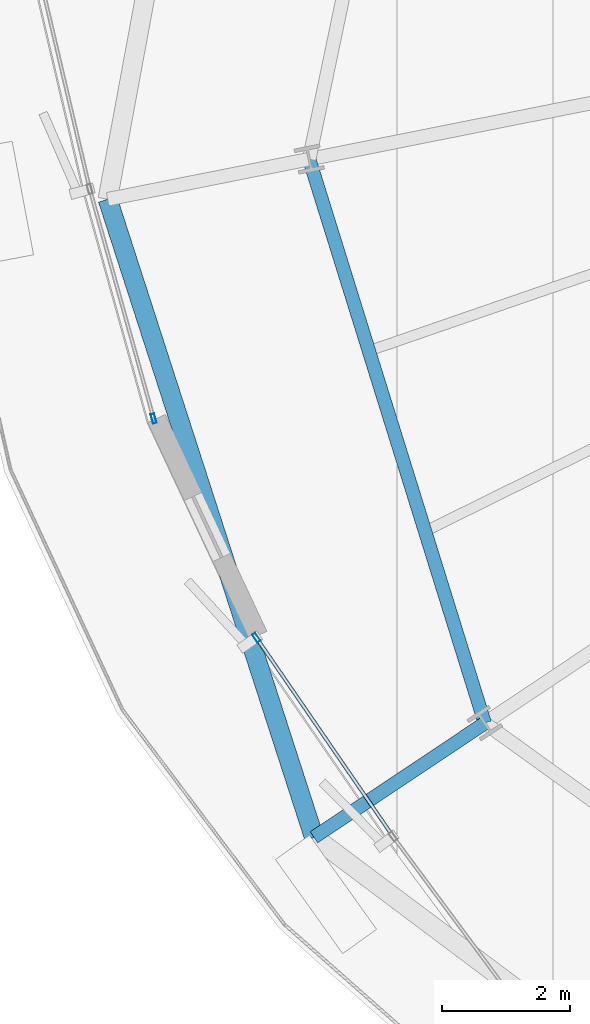
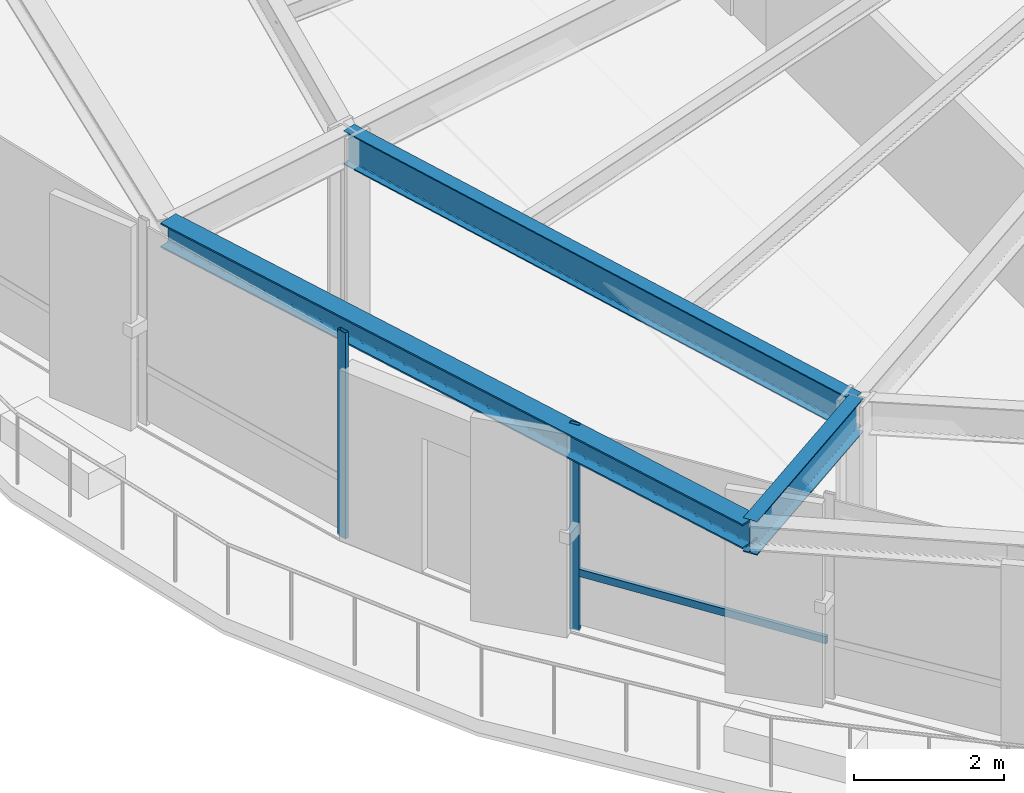
# One storey, part 3 of 33: 3 beams, 3 members, 2 elements without a shape of their own.
"""IFC4 building model written with IfcOpenShell, lengths in metres."""

from ifc_helpers import new_model, si_unit, direction, frame, origin, origin_2d, place, context, subcontext, project, spatial, hollow_rectangle, i_section, extrude, source, transform, mapped, material, layer, layer_set, material_profile, profile_set, type_object, element, aggregate, save


model = new_model("IFC4")

# Units and contexts
model_context = context("Model", 3, precision=1e-05, world=origin(), true_north=direction((0.0, 1.0)))
body_context = subcontext(model_context, "Body", "Model", "MODEL_VIEW")
ifc_project = project(units=[si_unit("LENGTHUNIT", "METRE"), si_unit("AREAUNIT", "SQUARE_METRE"), si_unit("VOLUMEUNIT", "CUBIC_METRE"), si_unit("PLANEANGLEUNIT", "RADIAN"), si_unit("MASSUNIT", "GRAM", prefix="KILO"), si_unit("THERMODYNAMICTEMPERATUREUNIT", "KELVIN")], contexts=[model_context])

# Site, building, storey
site_placement = place(None, origin())
site = spatial("IfcSite", under=ifc_project, at=site_placement, CompositionType="ELEMENT")
building_placement = place(site_placement, origin())
building = spatial("IfcBuilding", under=site, at=building_placement, Name="Kethvar Cultural Tower", CompositionType="ELEMENT")
storey_placement = place(building_placement, frame((0.0, 0.0, 110.800048828125)))
storey = spatial("IfcBuildingStorey", under=building, at=storey_placement, Name="L27", CompositionType="ELEMENT", Elevation=110.800048828125)

# Beams
ifc_material_1 = material(Name="Steel S355J2", Category="steel")
ifc_material_profile_1 = material_profile(ifc_material_1, i_section(OverallWidth=0.2099609375, OverallDepth=0.550048828125, WebThickness=0.010986328125, FlangeThickness=0.01708984375, FilletRadius=0.02392578125, at=origin_2d()), Name="Steel S355J2 — IPE550")
ifc_profile_set_1 = profile_set([ifc_material_profile_1], Name="Steel S355J2 — IPE550")
beam_type_1 = type_object("IfcBeamType", Name="BM-IPE550", PredefinedType="BEAM", material=ifc_profile_set_1)
shared_shape_1 = source(origin(), body_context, "Body", "SweptSolid", [
    extrude(i_section(OverallWidth=0.2099609375, OverallDepth=0.550048828125, WebThickness=0.010986328125, FlangeThickness=0.01708984375, FilletRadius=0.02392578125, at=origin_2d()), origin(), (0.0, 0.0, 1.0), 3.199951171875),
])
beam_1_placement = place(storey_placement, frame((26.920654296875, 14.51708984375, 3.072998046875), z_axis=(-0.831462943996, -0.555580212716, 0.0), x_axis=(0.555580212716, -0.831462943996, 0.0)))
element("IfcBeam", 1, at=beam_1_placement, inside=storey, type_object=beam_type_1, Name="L27 Perimeter Cantilever Beam RC-10", PredefinedType="BEAM", context=body_context, shape_type="MappedRepresentation", body=[
    mapped(shared_shape_1, transform((0.0, 0.0, 0.0), scale=1.0)),
])
shared_shape_2 = source(origin(), body_context, "Body", "SweptSolid", [
    extrude(i_section(OverallWidth=0.2099609375, OverallDepth=0.550048828125, WebThickness=0.010986328125, FlangeThickness=0.01708984375, FilletRadius=0.02392578125, at=origin_2d()), origin(), (0.0, 0.0, 1.0), 9.20068359375),
])
beam_2_placement = place(storey_placement, frame((24.185302734375, 23.3017578125, 3.072998046875), z_axis=(0.297298800285, -0.954784490526, 0.0), x_axis=(0.954784490526, 0.297298800285, 0.0)))
element("IfcBeam", 2, at=beam_2_placement, inside=storey, type_object=beam_type_1, Name="L27 Column Ring Tie Beam CR-09", PredefinedType="BEAM", context=body_context, shape_type="MappedRepresentation", body=[
    mapped(shared_shape_2, transform((0.0, 0.0, 0.0), scale=1.0)),
])
ifc_material_profile_2 = material_profile(ifc_material_1, i_section(OverallWidth=0.300048828125, OverallDepth=0.39990234375, WebThickness=0.013427734375, FlangeThickness=0.02392578125, FilletRadius=0.027099609375, at=origin_2d()), Name="Steel S355J2 — HEB400")
ifc_profile_set_2 = profile_set([ifc_material_profile_2], Name="Steel S355J2 — HEB400")
beam_type_2 = type_object("IfcBeamType", Name="BM-SP400", PredefinedType="SPANDREL", material=ifc_profile_set_2)
shared_shape_3 = source(origin(), body_context, "Body", "SweptSolid", [
    extrude(i_section(OverallWidth=0.300048828125, OverallDepth=0.39990234375, WebThickness=0.013427734375, FlangeThickness=0.02392578125, FilletRadius=0.027099609375, at=origin_2d()), origin(), (0.0, 0.0, 1.0), 10.44482421875),
])
beam_3_placement = place(storey_placement, frame((21.046875, 22.677490234375, 3.14794921875), z_axis=(0.307631709258, -0.951505507845, 0.0), x_axis=(0.951505507845, 0.307631709258, 0.0)))
element("IfcBeam", 3, at=beam_3_placement, inside=storey, type_object=beam_type_2, Name="L27 Perimeter Spandrel Beam SP-09", PredefinedType="SPANDREL", context=body_context, shape_type="MappedRepresentation", body=[
    mapped(shared_shape_3, transform((0.0, 0.0, 0.0), scale=1.0)),
])

# Curtain wall, member
ifc_material_2 = material(Name="Aluminium 6063-T6", Category="aluminium")
ifc_layer = layer(ifc_material_2, 0.179931640625, Name="Aluminium 6063-T6", Category="aluminium")
ifc_layer_set = layer_set([ifc_layer], Name="Aluminium 6063-T6 (180 mm)")
curtain_wall_type = type_object("IfcCurtainWallType", Name="CW-SYS-03-Z2", PredefinedType="NOTDEFINED", material=ifc_layer_set)
curtain_wall_1_placement = place(storey_placement, origin())
curtain_wall_1 = element("IfcCurtainWall", 4, at=curtain_wall_1_placement, inside=storey, type_object=curtain_wall_type, Name="L27 Curtain Wall Run 03", PredefinedType="NOTDEFINED")
ifc_material_profile_3 = material_profile(ifc_material_2, hollow_rectangle(XDim=0.06005859375, YDim=0.14990234375, WallThickness=0.0048828125, at=origin_2d()), Name="Aluminium 6063-T6 — RHS150x60x5")
ifc_profile_set_3 = profile_set([ifc_material_profile_3], Name="Aluminium 6063-T6 — RHS150x60x5")
member_type_1 = type_object("IfcMemberType", Name="CW-SYS-03-Z2-MUL", PredefinedType="MULLION", material=ifc_profile_set_3)
shared_shape_4 = source(origin(), body_context, "Body", "SweptSolid", [
    extrude(hollow_rectangle(XDim=0.06005859375, YDim=0.14990234375, WallThickness=0.0048828125, at=origin_2d()), origin(), (0.0, 0.0, 1.0), 3.349853515625),
])
member_1_placement = place(storey_placement, frame((21.762451171875, 19.26171875, 0.0), z_axis=(0.0, 0.0, 1.0), x_axis=(0.963359436529, 0.26821371339, 0.0)))
member_1 = element("IfcMember", 5, at=member_1_placement, type_object=member_type_1, Name="CW-L27-R03 Mullion 7", PredefinedType="MULLION", context=body_context, shape_type="MappedRepresentation", body=[
    mapped(shared_shape_4, transform((0.0, 0.0, 0.0), scale=1.0)),
])
aggregate(curtain_wall_1, [member_1])

# Curtain wall, members
curtain_wall_2_placement = place(storey_placement, origin())
curtain_wall_2 = element("IfcCurtainWall", 6, at=curtain_wall_2_placement, inside=storey, type_object=curtain_wall_type, Name="L27 Curtain Wall Run 04", PredefinedType="NOTDEFINED")
member_2_placement = place(storey_placement, frame((23.3623046875, 15.848388671875, 0.0), z_axis=(0.0, 0.0, 1.0), x_axis=(0.824106416812, 0.566435004011, 0.0)))
member_2 = element("IfcMember", 7, at=member_2_placement, type_object=member_type_1, Name="CW-L27-R04 Mullion 1", PredefinedType="MULLION", context=body_context, shape_type="MappedRepresentation", body=[
    mapped(shared_shape_4, transform((0.0, 0.0, 0.0), scale=1.0)),
])
ifc_material_profile_4 = material_profile(ifc_material_2, hollow_rectangle(XDim=0.054931640625, YDim=0.1201171875, WallThickness=0.00390625, at=origin_2d()), Name="Aluminium 6063-T6 — RHS120x55x4")
ifc_profile_set_4 = profile_set([ifc_material_profile_4], Name="Aluminium 6063-T6 — RHS120x55x4")
member_type_2 = type_object("IfcMemberType", Name="CW-SYS-03-Z2-TRN", PredefinedType="USERDEFINED", material=ifc_profile_set_4)
shared_shape_5 = source(origin(), body_context, "Body", "SweptSolid", [
    extrude(hollow_rectangle(XDim=0.054931640625, YDim=0.1201171875, WallThickness=0.00390625, at=origin_2d()), origin(), (0.0, 0.0, 1.0), 3.714111328125),
])
member_3_placement = place(storey_placement, frame((23.364501953125, 15.8447265625, 0.949951171875), z_axis=(0.566475817901, -0.824078362617, 0.0), x_axis=(0.824078362617, 0.566475817901, 0.0)))
member_3 = element("IfcMember", 8, at=member_3_placement, type_object=member_type_2, Name="CW-L27-R04 Transom 1", ObjectType="TRANSOM", PredefinedType="USERDEFINED", context=body_context, shape_type="MappedRepresentation", body=[
    mapped(shared_shape_5, transform((0.0, 0.0, 0.0), scale=1.0)),
])
aggregate(curtain_wall_2, [member_2, member_3])

save(model, "model.ifc")
